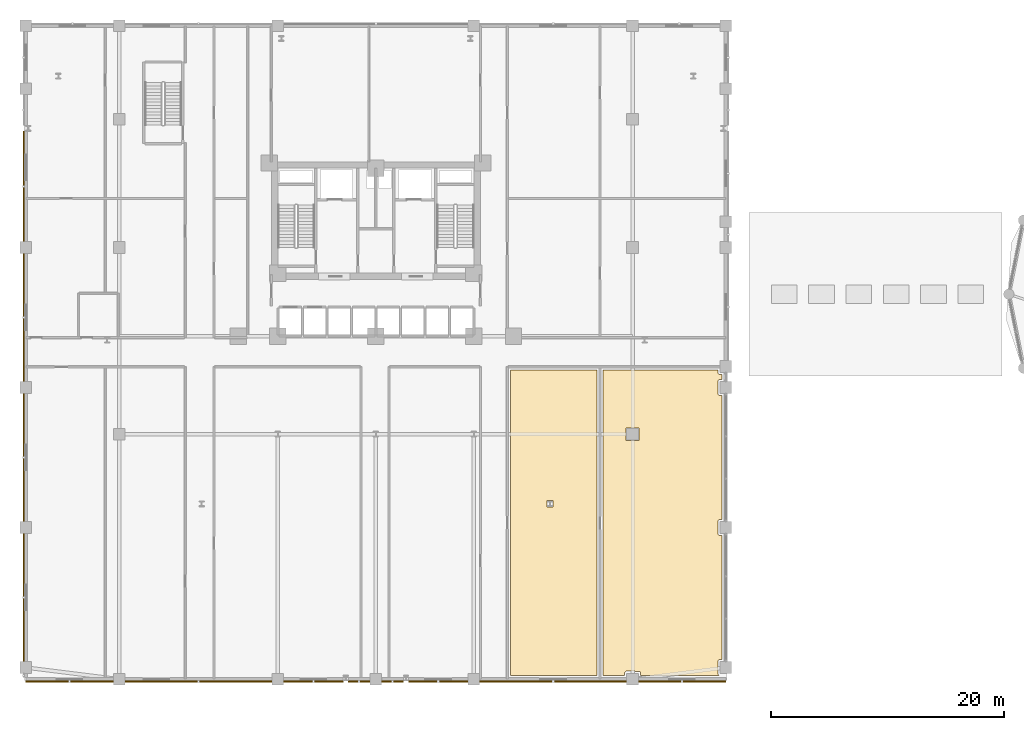
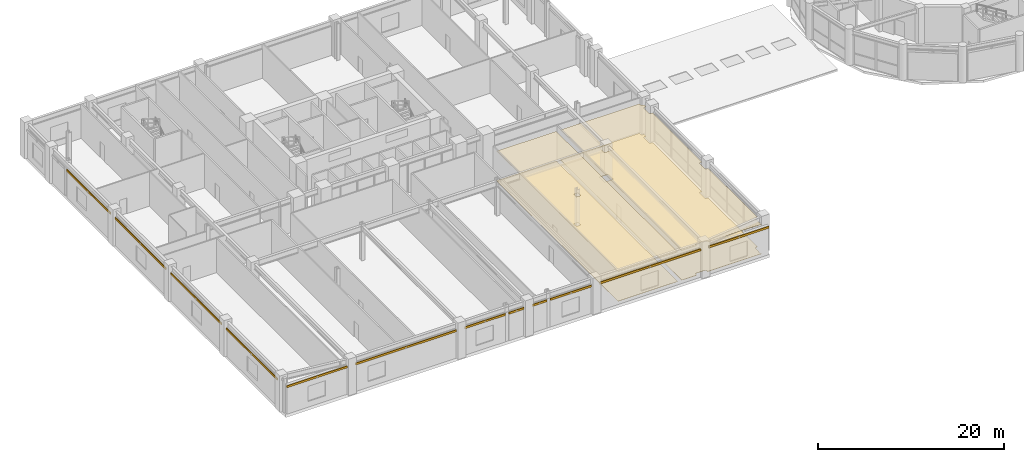
# One storey, part 28 of 34: 12 shading devices, 4 coverings.
"""IFC4 building model written with IfcOpenShell, lengths in metres."""

import ifcopenshell
import ifcopenshell.guid

model = None  # the IFC model being written
_history = None  # IfcOwnerHistory: only IFC2X3 demands one
_inside = {}  # id of a spatial element -> (the spatial element, [elements in it])
_under = {}  # id of a project, library or spatial element -> (it, [spatial elements below it])
_declared = {}  # id of a project -> (the project, [libraries it declares])
_typed = {}  # id of a type object -> (the type object, [elements of that type])
_made_of = {}  # id of a material, layer set ... -> (it, [elements and type objects made of it])


def new_model(schema):
    """Start an empty IFC model of exactly this schema.

    Asked for "IFC4X3", IfcOpenShell would pick the latest addendum, in which some entities
    have other attributes; the version numbers below select the first issue.
    IFC2X3 requires an IfcOwnerHistory on every rooted entity: one is made here for all.
    """
    global model, _history
    if schema == "IFC4X3":
        model = ifcopenshell.file(schema_version=(4, 3, 0, 0))
    else:
        model = ifcopenshell.file(schema=schema)
    _inside.clear()
    _under.clear()
    _declared.clear()
    _typed.clear()
    _made_of.clear()
    _history = None
    if model.schema == "IFC2X3":
        org = make("IfcOrganization", Name="unknown")
        user = make(
            "IfcPersonAndOrganization",
            ThePerson=make("IfcPerson", FamilyName="unknown"),
            TheOrganization=org,
        )
        app = make(
            "IfcApplication",
            ApplicationDeveloper=org,
            Version="unknown",
            ApplicationFullName="unknown",
            ApplicationIdentifier="unknown",
        )
        _history = make(
            "IfcOwnerHistory",
            OwningUser=user,
            OwningApplication=app,
            ChangeAction="ADDED",
            CreationDate=0,
        )
    return model


def make(cls, **values):
    """One entity of the class cls with the attributes given. An attribute that is None is left unset."""
    return model.create_entity(
        cls, **{name: value for name, value in values.items() if value is not None}
    )


def rooted(cls, **values):
    """An entity with a GlobalId (a new one), such as an element, a storey or a relation."""
    return make(cls, GlobalId=ifcopenshell.guid.new(), OwnerHistory=_history, **values)


def si_unit(unit_type, name, prefix=None):
    """IfcSIUnit, for example si_unit("LENGTHUNIT", "METRE", prefix="MILLI")."""
    return make("IfcSIUnit", UnitType=unit_type, Prefix=prefix, Name=name)


def derived_unit(unit_type, elements):
    """IfcDerivedUnit: a product of units, each with its exponent."""
    return make(
        "IfcDerivedUnit",
        Elements=[
            make("IfcDerivedUnitElement", Unit=unit, Exponent=power)
            for unit, power in elements
        ],
        UnitType=unit_type,
    )


def assignment(units):
    """IfcUnitAssignment: the units of a project."""
    return None if units is None else make("IfcUnitAssignment", Units=units)


def point(xyz):
    """IfcCartesianPoint."""
    return None if xyz is None else make("IfcCartesianPoint", Coordinates=xyz)


def direction(xyz):
    """IfcDirection."""
    return None if xyz is None else make("IfcDirection", DirectionRatios=xyz)


def frame(location, z_axis=None, x_axis=None):
    """IfcAxis2Placement3D, a coordinate frame: its origin and axes. An axis left out is left unset."""
    return make(
        "IfcAxis2Placement3D",
        Location=point(location),
        Axis=direction(z_axis),
        RefDirection=direction(x_axis),
    )


def frame_2d(location, x_axis=None):
    """IfcAxis2Placement2D, a coordinate frame in the plane: its origin and x axis."""
    return make(
        "IfcAxis2Placement2D", Location=point(location), RefDirection=direction(x_axis)
    )


def origin():
    """The frame at (0, 0, 0) with its axes left unset."""
    return frame((0.0, 0.0, 0.0))


def origin_2d():
    """The frame at (0, 0) in the plane with its x axis left unset."""
    return frame_2d((0.0, 0.0))


def place(relative_to, where):
    """IfcLocalPlacement: puts the frame where relative to a parent placement (None: the world)."""
    return make(
        "IfcLocalPlacement", PlacementRelTo=relative_to, RelativePlacement=where
    )


def context(
    kind, dimensions, precision=None, world=None, true_north=None, identifier=None
):
    """IfcGeometricRepresentationContext, for example the 3D "Model" context."""
    return make(
        "IfcGeometricRepresentationContext",
        ContextIdentifier=identifier,
        ContextType=kind,
        CoordinateSpaceDimension=dimensions,
        Precision=precision,
        WorldCoordinateSystem=world,
        TrueNorth=true_north,
    )


def subcontext(parent, identifier, kind, view, scale=None):
    """IfcGeometricRepresentationSubContext, for example "Body" below "Model"."""
    return make(
        "IfcGeometricRepresentationSubContext",
        ContextIdentifier=identifier,
        ContextType=kind,
        ParentContext=parent,
        TargetScale=scale,
        TargetView=view,
    )


def project(units=None, contexts=None):
    """IfcProject with its units and contexts."""
    return rooted(
        "IfcProject",
        Name="project",
        RepresentationContexts=contexts,
        UnitsInContext=assignment(units),
    )


def spatial(cls, under=None, at=None, **own):
    """A site, building, storey or space (cls), placed at a placement, below another one or the project."""
    s = rooted(cls, ObjectPlacement=at, **own)
    if under is not None:
        _under.setdefault(under.id(), (under, []))[1].append(s)
    return s


def polyline(points):
    """IfcPolyline through the points."""
    return make("IfcPolyline", Points=[point(p) for p in points])


def profile(cls, at=None, kind="AREA", **sizes):
    """A parametric profile (cls). Its sizes go by their IFC names, for example OverallWidth=200.0."""
    return make(cls, ProfileType=kind, Position=at, **sizes)


def hollow_rectangle(**sizes):
    """IfcRectangleHollowProfileDef."""
    return profile("IfcRectangleHollowProfileDef", **sizes)


def outline(outer, holes=None, kind="AREA"):
    """IfcArbitraryClosedProfileDef: a profile drawn as a closed curve; with holes, ...WithVoids."""
    if holes is None:
        return make("IfcArbitraryClosedProfileDef", ProfileType=kind, OuterCurve=outer)
    return make(
        "IfcArbitraryProfileDefWithVoids",
        ProfileType=kind,
        OuterCurve=outer,
        InnerCurves=holes,
    )


def extrude(swept, where, along, depth):
    """IfcExtrudedAreaSolid: the profile swept, set in the frame where, extruded along a direction by depth."""
    return make(
        "IfcExtrudedAreaSolid",
        SweptArea=swept,
        Position=where,
        ExtrudedDirection=direction(along),
        Depth=depth,
    )


def shape(context_of_items, identifier, shape_type, items):
    """IfcShapeRepresentation: the items that make up one representation, for example the "Body"."""
    return make(
        "IfcShapeRepresentation",
        ContextOfItems=context_of_items,
        RepresentationIdentifier=identifier,
        RepresentationType=shape_type,
        Items=items,
    )


def source(mapping_origin, context_of_items, identifier, shape_type, items):
    """IfcRepresentationMap: a shape defined once, which mapped items show again and again."""
    return make(
        "IfcRepresentationMap",
        MappingOrigin=mapping_origin,
        MappedRepresentation=shape(context_of_items, identifier, shape_type, items),
    )


def transform(
    local_origin,
    x_axis=None,
    y_axis=None,
    z_axis=None,
    scale=None,
    scale2=None,
    scale3=None,
    uniform=True,
):
    """IfcCartesianTransformationOperator3D, or its non-uniform kind. x_axis, y_axis, z_axis: its Axis1, 2, 3."""
    if uniform:
        return make(
            "IfcCartesianTransformationOperator3D",
            Axis1=direction(x_axis),
            Axis2=direction(y_axis),
            LocalOrigin=point(local_origin),
            Scale=scale,
            Axis3=direction(z_axis),
        )
    return make(
        "IfcCartesianTransformationOperator3DnonUniform",
        Axis1=direction(x_axis),
        Axis2=direction(y_axis),
        LocalOrigin=point(local_origin),
        Scale=scale,
        Axis3=direction(z_axis),
        Scale2=scale2,
        Scale3=scale3,
    )


def mapped(mapping_source, mapping_target):
    """IfcMappedItem: shows the shape of a source again, moved by a transform."""
    return make(
        "IfcMappedItem", MappingSource=mapping_source, MappingTarget=mapping_target
    )


def material(Name=None, Category=None):
    """IfcMaterial."""
    return make("IfcMaterial", Name=Name, Category=Category)


def layer(
    of_material, thickness, ventilated=None, Name=None, Category=None, Priority=None
):
    """IfcMaterialLayer: one layer of a wall or slab, of a material (None: an air gap)."""
    return make(
        "IfcMaterialLayer",
        Material=of_material,
        LayerThickness=thickness,
        IsVentilated=ventilated,
        Name=Name,
        Category=Category,
        Priority=Priority,
    )


def layer_set(layers, Name=None):
    """IfcMaterialLayerSet."""
    return make("IfcMaterialLayerSet", MaterialLayers=layers, LayerSetName=Name)


def material_profile(
    of_material, cross_section, Name=None, Category=None, Priority=None
):
    """IfcMaterialProfile: a cross section and its material."""
    return make(
        "IfcMaterialProfile",
        Name=Name,
        Material=of_material,
        Profile=cross_section,
        Priority=Priority,
        Category=Category,
    )


def profile_set(profiles, Name=None, composite=None):
    """IfcMaterialProfileSet."""
    return make(
        "IfcMaterialProfileSet",
        Name=Name,
        MaterialProfiles=profiles,
        CompositeProfile=composite,
    )


def made_of(thing, what):
    """Note that an element or type object is made of a material, layer set ...; save() writes the relation."""
    if what is not None:
        _made_of.setdefault(what.id(), (what, []))[1].append(thing)
    return thing


def type_object(cls, material=None, **own):
    """A type object (cls), such as IfcWallType, which elements share."""
    return made_of(rooted(cls, **own), material)


def element(
    cls,
    number,
    at=None,
    inside=None,
    cuts=None,
    type_object=None,
    material=None,
    context=None,
    identifier="Body",
    shape_type=None,
    held_by="IfcProductDefinitionShape",
    body=None,
    shapes=None,
    **own,
):
    """One element of the class cls, such as IfcWall. Its Tag is "e" and its number.

    at: its placement. inside: the storey or other place that contains it. cuts: it is an
    opening in that element (IfcRelVoidsElement). A single representation is given by context,
    identifier, shape_type and body (its items); several are given by shapes. held_by: the class
    of the entity that holds the representations. save() writes the other relations.
    """
    e = rooted(cls, Tag="e%d" % number, ObjectPlacement=at, **own)
    if body is not None:
        shapes = [shape(context, identifier, shape_type, body)]
    if shapes is not None:
        e.Representation = make(held_by, Representations=shapes)
    if inside is not None:
        _inside.setdefault(inside.id(), (inside, []))[1].append(e)
    if cuts is not None:
        rooted(
            "IfcRelVoidsElement", RelatingBuildingElement=cuts, RelatedOpeningElement=e
        )
    if type_object is not None:
        _typed.setdefault(type_object.id(), (type_object, []))[1].append(e)
    return made_of(e, material)


def aggregate(whole, parts):
    """IfcRelAggregates: a whole, such as a stair, and the parts it consists of."""
    return rooted("IfcRelAggregates", RelatingObject=whole, RelatedObjects=parts)


def save(model, path):
    """Write the relations noted so far, then the file.

    IfcRelAggregates (storeys below a building ...), IfcRelContainedInSpatialStructure (elements
    in a storey), IfcRelDefinesByType, IfcRelAssociatesMaterial and IfcRelDeclares: one each for
    every whole, place, type object, material and project.
    """
    for whole, parts in _under.values():
        aggregate(whole, parts)
    for where, things in _inside.values():
        rooted(
            "IfcRelContainedInSpatialStructure",
            RelatedElements=things,
            RelatingStructure=where,
        )
    for kind, things in _typed.values():
        rooted("IfcRelDefinesByType", RelatedObjects=things, RelatingType=kind)
    for what, things in _made_of.values():
        rooted("IfcRelAssociatesMaterial", RelatedObjects=things, RelatingMaterial=what)
    for by, libraries in _declared.values():
        rooted("IfcRelDeclares", RelatingContext=by, RelatedDefinitions=libraries)
    model.write(path)


model = new_model("IFC4")

# Units and contexts
model_context = context("Model", 3, precision=1e-05, world=origin(), true_north=direction((0.0, 1.0)))
body_context = subcontext(model_context, "Body", "Model", "MODEL_VIEW")
ifc_project = project(units=[si_unit("LENGTHUNIT", "METRE"), si_unit("AREAUNIT", "SQUARE_METRE"), si_unit("VOLUMEUNIT", "CUBIC_METRE"), si_unit("PLANEANGLEUNIT", "RADIAN"), si_unit("MASSUNIT", "GRAM", prefix="KILO"), derived_unit("THERMALTRANSMITTANCEUNIT", [(si_unit("POWERUNIT", "WATT"), 1), (si_unit("LENGTHUNIT", "METRE"), -2), (si_unit("THERMODYNAMICTEMPERATUREUNIT", "KELVIN"), -1)])], contexts=[model_context])

# Site, building, storey
site_placement = place(None, origin())
site = spatial("IfcSite", under=ifc_project, at=site_placement, CompositionType="ELEMENT")
building_placement = place(site_placement, origin())
building = spatial("IfcBuilding", under=site, at=building_placement, Name="Korsvarv Bourse and Concert Hall", CompositionType="ELEMENT")
storey_placement = place(building_placement, frame((0.0, 0.0, 14.39990234375)))
storey = spatial("IfcBuildingStorey", under=building, at=storey_placement, Name="L03", CompositionType="ELEMENT", Elevation=14.39990234375)

# Coverings
ifc_material_1 = material(Name="Perforated mineral-wool and birch acoustic baffle ceiling", Category="wood")
ifc_layer_1 = layer(ifc_material_1, 0.02490234375)
ifc_layer_set_1 = layer_set([ifc_layer_1], Name="Perforated mineral-wool and birch acoustic baffle ceiling")
covering_type_1 = type_object("IfcCoveringType", Name="COV-CEIL-1", PredefinedType="CEILING", material=ifc_layer_set_1)
covering_1_placement = place(storey_placement, frame((0.0, 0.0, 3.900146484375)))
element("IfcCovering", 1, at=covering_1_placement, inside=storey, type_object=covering_type_1, Name="L03 acoustic baffle ceiling 1", PredefinedType="CEILING", context=body_context, shape_type="SweptSolid", body=[
    extrude(outline(polyline([(58.68994140625, 3.340087890625), (58.68994140625, 3.5), (58.6865234375, 3.534912109375), (58.676513671875, 3.568603515625), (58.659912109375, 3.599365234375), (58.637939453125, 3.626708984375), (58.61083984375, 3.64892578125), (58.580078125, 3.665771484375), (58.546630859375, 3.67626953125), (58.51171875, 3.679931640625), (57.501708984375, 3.68994140625), (57.467041015625, 3.68701171875), (57.43359375, 3.67724609375), (57.402587890625, 3.661376953125), (57.375244140625, 3.6396484375), (57.3525390625, 3.61328125), (57.33544921875, 3.582763671875), (57.324462890625, 3.5498046875), (57.320068359375, 3.51513671875), (57.315185546875, 3.340087890625), (55.449951171875, 3.340087890625), (55.449951171875, 29.52001953125), (65.31005859375, 29.52001953125), (65.31005859375, 29.300048828125), (65.313232421875, 29.265380859375), (65.3232421875, 29.232421875), (65.33935546875, 29.20166015625), (65.36083984375, 29.174560546875), (65.38720703125, 29.152099609375), (65.41748046875, 29.13525390625), (65.450439453125, 29.12451171875), (65.48486328125, 29.1201171875), (65.659912109375, 29.114990234375), (65.659912109375, 28.68994140625), (65.5, 28.68994140625), (65.465087890625, 28.6865234375), (65.431396484375, 28.676513671875), (65.400634765625, 28.659912109375), (65.373291015625, 28.637939453125), (65.35107421875, 28.61083984375), (65.334228515625, 28.580078125), (65.32373046875, 28.546630859375), (65.320068359375, 28.51171875), (65.31005859375, 27.501708984375), (65.31298828125, 27.467041015625), (65.32275390625, 27.43359375), (65.338623046875, 27.402587890625), (65.3603515625, 27.375244140625), (65.38671875, 27.3525390625), (65.417236328125, 27.33544921875), (65.4501953125, 27.324462890625), (65.48486328125, 27.320068359375), (65.659912109375, 27.315185546875), (65.659912109375, 16.68994140625), (65.5, 16.68994140625), (65.465087890625, 16.6865234375), (65.431396484375, 16.676513671875), (65.400634765625, 16.659912109375), (65.373291015625, 16.637939453125), (65.35107421875, 16.61083984375), (65.334228515625, 16.580078125), (65.32373046875, 16.546630859375), (65.320068359375, 16.51171875), (65.31005859375, 15.501708984375), (65.31298828125, 15.467041015625), (65.32275390625, 15.43359375), (65.338623046875, 15.402587890625), (65.3603515625, 15.375244140625), (65.38671875, 15.3525390625), (65.417236328125, 15.33544921875), (65.4501953125, 15.324462890625), (65.48486328125, 15.320068359375), (65.659912109375, 15.315185546875), (65.659912109375, 4.68994140625), (65.5, 4.68994140625), (65.465087890625, 4.6865234375), (65.431396484375, 4.676513671875), (65.400634765625, 4.659912109375), (65.373291015625, 4.637939453125), (65.35107421875, 4.61083984375), (65.334228515625, 4.580078125), (65.32373046875, 4.546630859375), (65.320068359375, 4.51171875), (65.31005859375, 3.501708984375), (65.31298828125, 3.467041015625), (65.32275390625, 3.43359375), (65.338623046875, 3.402587890625), (65.3603515625, 3.375244140625), (65.38671875, 3.3525390625), (65.407958984375, 3.340087890625), (58.68994140625, 3.340087890625)]), holes=[polyline([(57.48095703125, 23.453857421875), (58.5, 23.449951171875), (58.523681640625, 23.455810546875), (58.54150390625, 23.47216796875), (58.5498046875, 23.4951171875), (58.550048828125, 24.5), (58.544189453125, 24.523681640625), (58.52783203125, 24.54150390625), (58.5048828125, 24.5498046875), (57.5, 24.550048828125), (57.476318359375, 24.544189453125), (57.45849609375, 24.52783203125), (57.4501953125, 24.5048828125), (57.449951171875, 23.5), (57.455810546875, 23.476318359375), (57.48095703125, 23.453857421875)])]), origin(), (0.0, 0.0, 1.0), 0.02490234375),
])
covering_2_placement = place(storey_placement, frame((0.0, 0.0, 3.900146484375)))
element("IfcCovering", 2, at=covering_2_placement, inside=storey, type_object=covering_type_1, Name="L03 acoustic baffle ceiling 3", PredefinedType="CEILING", context=body_context, shape_type="SweptSolid", body=[
    extrude(outline(polyline([(54.949951171875, 3.340087890625), (47.530029296875, 3.340087890625), (47.530029296875, 29.52001953125), (54.949951171875, 29.52001953125), (54.949951171875, 3.340087890625)]), holes=[polyline([(50.696533203125, 17.747802734375), (50.72021484375, 17.74169921875), (51.14404296875, 17.74169921875), (51.167724609375, 17.747802734375), (51.185791015625, 17.763916015625), (51.19384765625, 17.786865234375), (51.194091796875, 18.265869140625), (51.188232421875, 18.289306640625), (51.171875, 18.307373046875), (51.14892578125, 18.315673828125), (50.72021484375, 18.31591796875), (50.696533203125, 18.309814453125), (50.678466796875, 18.293701171875), (50.67041015625, 18.270751953125), (50.670166015625, 17.791748046875), (50.676025390625, 17.768310546875), (50.696533203125, 17.747802734375)])]), origin(), (0.0, 0.0, 1.0), 0.02490234375),
])
ifc_material_2 = material(Name="Calcium-sulphate raised access trading floor with Nordic oak top", Category="wood")
ifc_layer_2 = layer(ifc_material_2, 0.0400390625)
ifc_layer_set_2 = layer_set([ifc_layer_2], Name="Calcium-sulphate raised access trading floor with Nordic oak top")
covering_type_2 = type_object("IfcCoveringType", Name="COV-FLOR-1", PredefinedType="FLOORING", material=ifc_layer_set_2)
covering_3_placement = place(storey_placement, origin())
element("IfcCovering", 3, at=covering_3_placement, inside=storey, type_object=covering_type_2, Name="L03 raised access oak floor finish 1", PredefinedType="FLOORING", context=body_context, shape_type="SweptSolid", body=[
    extrude(outline(polyline([(58.68994140625, 3.340087890625), (58.68994140625, 3.5), (58.6865234375, 3.534912109375), (58.676513671875, 3.568603515625), (58.659912109375, 3.599365234375), (58.637939453125, 3.626708984375), (58.61083984375, 3.64892578125), (58.580078125, 3.665771484375), (58.546630859375, 3.67626953125), (58.51171875, 3.679931640625), (57.501708984375, 3.68994140625), (57.467041015625, 3.68701171875), (57.43359375, 3.67724609375), (57.402587890625, 3.661376953125), (57.375244140625, 3.6396484375), (57.3525390625, 3.61328125), (57.33544921875, 3.582763671875), (57.324462890625, 3.5498046875), (57.320068359375, 3.51513671875), (57.315185546875, 3.340087890625), (55.449951171875, 3.340087890625), (55.449951171875, 29.52001953125), (65.31005859375, 29.52001953125), (65.31005859375, 29.300048828125), (65.313232421875, 29.265380859375), (65.3232421875, 29.232421875), (65.33935546875, 29.20166015625), (65.36083984375, 29.174560546875), (65.38720703125, 29.152099609375), (65.41748046875, 29.13525390625), (65.450439453125, 29.12451171875), (65.48486328125, 29.1201171875), (65.659912109375, 29.114990234375), (65.659912109375, 28.68994140625), (65.5, 28.68994140625), (65.465087890625, 28.6865234375), (65.431396484375, 28.676513671875), (65.400634765625, 28.659912109375), (65.373291015625, 28.637939453125), (65.35107421875, 28.61083984375), (65.334228515625, 28.580078125), (65.32373046875, 28.546630859375), (65.320068359375, 28.51171875), (65.31005859375, 27.501708984375), (65.31298828125, 27.467041015625), (65.32275390625, 27.43359375), (65.338623046875, 27.402587890625), (65.3603515625, 27.375244140625), (65.38671875, 27.3525390625), (65.417236328125, 27.33544921875), (65.4501953125, 27.324462890625), (65.48486328125, 27.320068359375), (65.659912109375, 27.315185546875), (65.659912109375, 16.68994140625), (65.5, 16.68994140625), (65.465087890625, 16.6865234375), (65.431396484375, 16.676513671875), (65.400634765625, 16.659912109375), (65.373291015625, 16.637939453125), (65.35107421875, 16.61083984375), (65.334228515625, 16.580078125), (65.32373046875, 16.546630859375), (65.320068359375, 16.51171875), (65.31005859375, 15.501708984375), (65.31298828125, 15.467041015625), (65.32275390625, 15.43359375), (65.338623046875, 15.402587890625), (65.3603515625, 15.375244140625), (65.38671875, 15.3525390625), (65.417236328125, 15.33544921875), (65.4501953125, 15.324462890625), (65.48486328125, 15.320068359375), (65.659912109375, 15.315185546875), (65.659912109375, 4.68994140625), (65.5, 4.68994140625), (65.465087890625, 4.6865234375), (65.431396484375, 4.676513671875), (65.400634765625, 4.659912109375), (65.373291015625, 4.637939453125), (65.35107421875, 4.61083984375), (65.334228515625, 4.580078125), (65.32373046875, 4.546630859375), (65.320068359375, 4.51171875), (65.31005859375, 3.501708984375), (65.31298828125, 3.467041015625), (65.32275390625, 3.43359375), (65.338623046875, 3.402587890625), (65.3603515625, 3.375244140625), (65.38671875, 3.3525390625), (65.407958984375, 3.340087890625), (58.68994140625, 3.340087890625)]), holes=[polyline([(57.48095703125, 23.453857421875), (58.5, 23.449951171875), (58.523681640625, 23.455810546875), (58.54150390625, 23.47216796875), (58.5498046875, 23.4951171875), (58.550048828125, 24.5), (58.544189453125, 24.523681640625), (58.52783203125, 24.54150390625), (58.5048828125, 24.5498046875), (57.5, 24.550048828125), (57.476318359375, 24.544189453125), (57.45849609375, 24.52783203125), (57.4501953125, 24.5048828125), (57.449951171875, 23.5), (57.455810546875, 23.476318359375), (57.48095703125, 23.453857421875)])]), origin(), (0.0, 0.0, 1.0), 0.0400390625),
])
covering_4_placement = place(storey_placement, origin())
element("IfcCovering", 4, at=covering_4_placement, inside=storey, type_object=covering_type_2, Name="L03 raised access oak floor finish 3", PredefinedType="FLOORING", context=body_context, shape_type="SweptSolid", body=[
    extrude(outline(polyline([(54.949951171875, 3.340087890625), (47.530029296875, 3.340087890625), (47.530029296875, 29.52001953125), (54.949951171875, 29.52001953125), (54.949951171875, 3.340087890625)]), holes=[polyline([(50.696533203125, 17.747802734375), (50.72021484375, 17.74169921875), (51.14404296875, 17.74169921875), (51.167724609375, 17.747802734375), (51.185791015625, 17.763916015625), (51.19384765625, 17.786865234375), (51.194091796875, 18.265869140625), (51.188232421875, 18.289306640625), (51.171875, 18.307373046875), (51.14892578125, 18.315673828125), (50.72021484375, 18.31591796875), (50.696533203125, 18.309814453125), (50.678466796875, 18.293701171875), (50.67041015625, 18.270751953125), (50.670166015625, 17.791748046875), (50.676025390625, 17.768310546875), (50.696533203125, 17.747802734375)])]), origin(), (0.0, 0.0, 1.0), 0.0400390625),
])

# Shading devices
ifc_material_3 = material(Name="Glazed extruded architectural terracotta", Category="ceramic")
ifc_material_profile = material_profile(ifc_material_3, hollow_rectangle(XDim=0.090087890625, YDim=0.260009765625, WallThickness=0.011962890625, at=origin_2d()), Name="TC-BAG 90x260")
ifc_profile_set = profile_set([ifc_material_profile], Name="Glazed extruded architectural terracotta")
shading_device_type = type_object("IfcShadingDeviceType", Name="SHD-BAG-1", PredefinedType="USERDEFINED", material=ifc_profile_set)
shared_shape_1 = source(origin(), body_context, "Body", "SweptSolid", [
    extrude(hollow_rectangle(XDim=0.090087890625, YDim=0.260009765625, WallThickness=0.011962890625, at=origin_2d()), origin(), (0.0, 0.0, 1.0), 7.4951171875),
])
for number, where, z_axis, x_axis, name in (
    (5, (6.0, 2.804931640625, 3.66015625), (1.0, 0.0, 0.0), (0.0, 1.0, 0.0), "L03 terracotta baguette sunshade EW-L03-S1"),
    (6, (58.5048828125, 2.804931640625, 3.66015625), (1.0, 0.0, 0.0), (0.0, 1.0, 0.0), "L03 terracotta baguette sunshade EW-L03-S6"),
):
    element("IfcShadingDevice", number, at=place(storey_placement, frame(where, z_axis=z_axis, x_axis=x_axis)), inside=storey, type_object=shading_device_type, Name=name, ObjectType="BAGUETTE", PredefinedType="USERDEFINED", context=body_context, shape_type="MappedRepresentation", body=[
        mapped(shared_shape_1, transform((0.0, 0.0, 0.0), scale=1.0)),
    ])
shared_shape_2 = source(origin(), body_context, "Body", "SweptSolid", [
    extrude(hollow_rectangle(XDim=0.090087890625, YDim=0.260009765625, WallThickness=0.011962890625, at=origin_2d()), origin(), (0.0, 0.0, 1.0), 12.590087890625),
])
for number, where, z_axis, x_axis, name in (
    (7, (14.5048828125, 2.804931640625, 3.66015625), (1.0, 0.0, 0.0), (0.0, 1.0, 0.0), "L03 terracotta baguette sunshade EW-L03-S2"),
    (8, (44.905029296875, 2.804931640625, 3.66015625), (1.0, 0.0, 0.0), (0.0, 1.0, 0.0), "L03 terracotta baguette sunshade EW-L03-S5"),
):
    element("IfcShadingDevice", number, at=place(storey_placement, frame(where, z_axis=z_axis, x_axis=x_axis)), inside=storey, type_object=shading_device_type, Name=name, ObjectType="BAGUETTE", PredefinedType="USERDEFINED", context=body_context, shape_type="MappedRepresentation", body=[
        mapped(shared_shape_2, transform((0.0, 0.0, 0.0), scale=1.0)),
    ])
shared_shape_3 = source(origin(), body_context, "Body", "SweptSolid", [
    extrude(hollow_rectangle(XDim=0.090087890625, YDim=0.260009765625, WallThickness=0.011962890625, at=origin_2d()), origin(), (0.0, 0.0, 1.0), 5.09619140625),
])
for number, where, z_axis, x_axis, name in (
    (9, (28.10498046875, 2.804931640625, 3.66015625), (1.0, 0.0, 0.0), (0.0, 1.0, 0.0), "L03 terracotta baguette sunshade EW-L03-S3-1"),
    (10, (38.798828125, 2.804931640625, 3.66015625), (1.0, 0.0, 0.0), (0.0, 1.0, 0.0), "L03 terracotta baguette sunshade EW-L03-S4-2"),
):
    element("IfcShadingDevice", number, at=place(storey_placement, frame(where, z_axis=z_axis, x_axis=x_axis)), inside=storey, type_object=shading_device_type, Name=name, ObjectType="BAGUETTE", PredefinedType="USERDEFINED", context=body_context, shape_type="MappedRepresentation", body=[
        mapped(shared_shape_3, transform((0.0, 0.0, 0.0), scale=1.0)),
    ])
shared_shape_4 = source(origin(), body_context, "Body", "SweptSolid", [
    extrude(hollow_rectangle(XDim=0.090087890625, YDim=0.260009765625, WallThickness=0.011962890625, at=origin_2d()), origin(), (0.0, 0.0, 1.0), 1.860107421875),
])
for number, where, z_axis, x_axis, name in (
    (11, (33.635009765625, 2.804931640625, 3.66015625), (1.0, 0.0, 0.0), (0.0, 1.0, 0.0), "L03 terracotta baguette sunshade EW-L03-S3-2"),
    (12, (36.5048828125, 2.804931640625, 3.66015625), (1.0, 0.0, 0.0), (0.0, 1.0, 0.0), "L03 terracotta baguette sunshade EW-L03-S4-1"),
):
    element("IfcShadingDevice", number, at=place(storey_placement, frame(where, z_axis=z_axis, x_axis=x_axis)), inside=storey, type_object=shading_device_type, Name=name, ObjectType="BAGUETTE", PredefinedType="USERDEFINED", context=body_context, shape_type="MappedRepresentation", body=[
        mapped(shared_shape_4, transform((0.0, 0.0, 0.0), scale=1.0)),
    ])
shared_shape_5 = source(origin(), body_context, "Body", "SweptSolid", [
    extrude(hollow_rectangle(XDim=0.090087890625, YDim=0.260009765625, WallThickness=0.011962890625, at=origin_2d()), origin(), (0.0, 0.0, 1.0), 10.990234375),
])
for number, where, z_axis, x_axis, name in (
    (13, (5.804931640625, 4.5048828125, 3.66015625), (0.0, 1.0, 0.0), (-1.0, 0.0, 0.0), "L03 terracotta baguette sunshade EW-L03-W1-2"),
    (14, (5.804931640625, 16.5048828125, 3.66015625), (0.0, 1.0, 0.0), (-1.0, 0.0, 0.0), "L03 terracotta baguette sunshade EW-L03-W2"),
    (15, (5.804931640625, 28.5048828125, 3.66015625), (0.0, 1.0, 0.0), (-1.0, 0.0, 0.0), "L03 terracotta baguette sunshade EW-L03-W3"),
):
    element("IfcShadingDevice", number, at=place(storey_placement, frame(where, z_axis=z_axis, x_axis=x_axis)), inside=storey, type_object=shading_device_type, Name=name, ObjectType="BAGUETTE", PredefinedType="USERDEFINED", context=body_context, shape_type="MappedRepresentation", body=[
        mapped(shared_shape_5, transform((0.0, 0.0, 0.0), scale=1.0)),
    ])
shared_shape_6 = source(origin(), body_context, "Body", "SweptSolid", [
    extrude(hollow_rectangle(XDim=0.090087890625, YDim=0.260009765625, WallThickness=0.011962890625, at=origin_2d()), origin(), (0.0, 0.0, 1.0), 9.47021484375),
])
shading_device_placement = place(storey_placement, frame((5.804931640625, 40.5048828125, 3.66015625), z_axis=(0.0, 1.0, 0.0), x_axis=(-1.0, 0.0, 0.0)))
element("IfcShadingDevice", 16, at=shading_device_placement, inside=storey, type_object=shading_device_type, Name="L03 terracotta baguette sunshade EW-L03-W4-1", ObjectType="BAGUETTE", PredefinedType="USERDEFINED", context=body_context, shape_type="MappedRepresentation", body=[
    mapped(shared_shape_6, transform((0.0, 0.0, 0.0), scale=1.0)),
])

save(model, "model.ifc")
